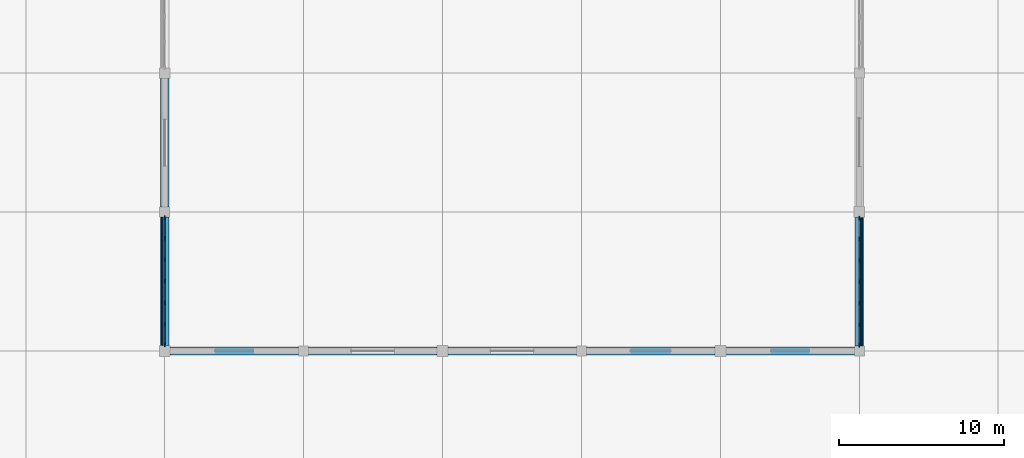
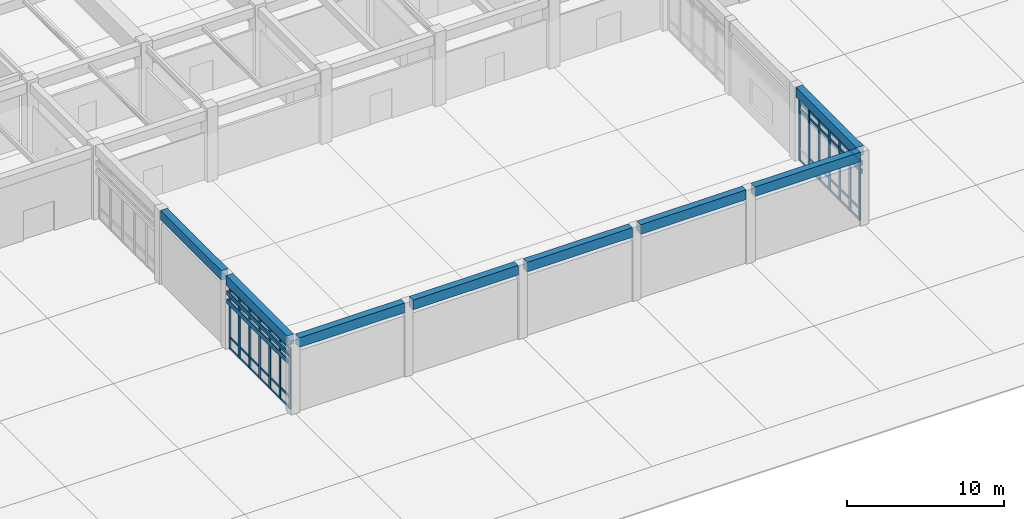
# One storey, part 10 of 91: 63 members, 8 beams, 2 elements without a shape of their own.
"""IFC4 building model written with IfcOpenShell, lengths in metres."""

import ifcopenshell
import ifcopenshell.guid

model = None  # the IFC model being written
_history = None  # IfcOwnerHistory: only IFC2X3 demands one
_inside = {}  # id of a spatial element -> (the spatial element, [elements in it])
_under = {}  # id of a project, library or spatial element -> (it, [spatial elements below it])
_declared = {}  # id of a project -> (the project, [libraries it declares])
_typed = {}  # id of a type object -> (the type object, [elements of that type])
_made_of = {}  # id of a material, layer set ... -> (it, [elements and type objects made of it])


def new_model(schema):
    """Start an empty IFC model of exactly this schema.

    Asked for "IFC4X3", IfcOpenShell would pick the latest addendum, in which some entities
    have other attributes; the version numbers below select the first issue.
    IFC2X3 requires an IfcOwnerHistory on every rooted entity: one is made here for all.
    """
    global model, _history
    if schema == "IFC4X3":
        model = ifcopenshell.file(schema_version=(4, 3, 0, 0))
    else:
        model = ifcopenshell.file(schema=schema)
    _inside.clear()
    _under.clear()
    _declared.clear()
    _typed.clear()
    _made_of.clear()
    _history = None
    if model.schema == "IFC2X3":
        org = make("IfcOrganization", Name="unknown")
        user = make(
            "IfcPersonAndOrganization",
            ThePerson=make("IfcPerson", FamilyName="unknown"),
            TheOrganization=org,
        )
        app = make(
            "IfcApplication",
            ApplicationDeveloper=org,
            Version="unknown",
            ApplicationFullName="unknown",
            ApplicationIdentifier="unknown",
        )
        _history = make(
            "IfcOwnerHistory",
            OwningUser=user,
            OwningApplication=app,
            ChangeAction="ADDED",
            CreationDate=0,
        )
    return model


def make(cls, **values):
    """One entity of the class cls with the attributes given. An attribute that is None is left unset."""
    return model.create_entity(
        cls, **{name: value for name, value in values.items() if value is not None}
    )


def rooted(cls, **values):
    """An entity with a GlobalId (a new one), such as an element, a storey or a relation."""
    return make(cls, GlobalId=ifcopenshell.guid.new(), OwnerHistory=_history, **values)


def si_unit(unit_type, name, prefix=None):
    """IfcSIUnit, for example si_unit("LENGTHUNIT", "METRE", prefix="MILLI")."""
    return make("IfcSIUnit", UnitType=unit_type, Prefix=prefix, Name=name)


def assignment(units):
    """IfcUnitAssignment: the units of a project."""
    return None if units is None else make("IfcUnitAssignment", Units=units)


def point(xyz):
    """IfcCartesianPoint."""
    return None if xyz is None else make("IfcCartesianPoint", Coordinates=xyz)


def direction(xyz):
    """IfcDirection."""
    return None if xyz is None else make("IfcDirection", DirectionRatios=xyz)


def frame(location, z_axis=None, x_axis=None):
    """IfcAxis2Placement3D, a coordinate frame: its origin and axes. An axis left out is left unset."""
    return make(
        "IfcAxis2Placement3D",
        Location=point(location),
        Axis=direction(z_axis),
        RefDirection=direction(x_axis),
    )


def frame_2d(location, x_axis=None):
    """IfcAxis2Placement2D, a coordinate frame in the plane: its origin and x axis."""
    return make(
        "IfcAxis2Placement2D", Location=point(location), RefDirection=direction(x_axis)
    )


def origin():
    """The frame at (0, 0, 0) with its axes left unset."""
    return frame((0.0, 0.0, 0.0))


def origin_2d():
    """The frame at (0, 0) in the plane with its x axis left unset."""
    return frame_2d((0.0, 0.0))


def place(relative_to, where):
    """IfcLocalPlacement: puts the frame where relative to a parent placement (None: the world)."""
    return make(
        "IfcLocalPlacement", PlacementRelTo=relative_to, RelativePlacement=where
    )


def context(
    kind, dimensions, precision=None, world=None, true_north=None, identifier=None
):
    """IfcGeometricRepresentationContext, for example the 3D "Model" context."""
    return make(
        "IfcGeometricRepresentationContext",
        ContextIdentifier=identifier,
        ContextType=kind,
        CoordinateSpaceDimension=dimensions,
        Precision=precision,
        WorldCoordinateSystem=world,
        TrueNorth=true_north,
    )


def subcontext(parent, identifier, kind, view, scale=None):
    """IfcGeometricRepresentationSubContext, for example "Body" below "Model"."""
    return make(
        "IfcGeometricRepresentationSubContext",
        ContextIdentifier=identifier,
        ContextType=kind,
        ParentContext=parent,
        TargetScale=scale,
        TargetView=view,
    )


def project(units=None, contexts=None):
    """IfcProject with its units and contexts."""
    return rooted(
        "IfcProject",
        Name="project",
        RepresentationContexts=contexts,
        UnitsInContext=assignment(units),
    )


def spatial(cls, under=None, at=None, **own):
    """A site, building, storey or space (cls), placed at a placement, below another one or the project."""
    s = rooted(cls, ObjectPlacement=at, **own)
    if under is not None:
        _under.setdefault(under.id(), (under, []))[1].append(s)
    return s


def profile(cls, at=None, kind="AREA", **sizes):
    """A parametric profile (cls). Its sizes go by their IFC names, for example OverallWidth=200.0."""
    return make(cls, ProfileType=kind, Position=at, **sizes)


def rectangle(**sizes):
    """IfcRectangleProfileDef."""
    return profile("IfcRectangleProfileDef", **sizes)


def extrude(swept, where, along, depth):
    """IfcExtrudedAreaSolid: the profile swept, set in the frame where, extruded along a direction by depth."""
    return make(
        "IfcExtrudedAreaSolid",
        SweptArea=swept,
        Position=where,
        ExtrudedDirection=direction(along),
        Depth=depth,
    )


def shape(context_of_items, identifier, shape_type, items):
    """IfcShapeRepresentation: the items that make up one representation, for example the "Body"."""
    return make(
        "IfcShapeRepresentation",
        ContextOfItems=context_of_items,
        RepresentationIdentifier=identifier,
        RepresentationType=shape_type,
        Items=items,
    )


def material(Name=None, Category=None):
    """IfcMaterial."""
    return make("IfcMaterial", Name=Name, Category=Category)


def layer(
    of_material, thickness, ventilated=None, Name=None, Category=None, Priority=None
):
    """IfcMaterialLayer: one layer of a wall or slab, of a material (None: an air gap)."""
    return make(
        "IfcMaterialLayer",
        Material=of_material,
        LayerThickness=thickness,
        IsVentilated=ventilated,
        Name=Name,
        Category=Category,
        Priority=Priority,
    )


def layer_set(layers, Name=None):
    """IfcMaterialLayerSet."""
    return make("IfcMaterialLayerSet", MaterialLayers=layers, LayerSetName=Name)


def material_profile(
    of_material, cross_section, Name=None, Category=None, Priority=None
):
    """IfcMaterialProfile: a cross section and its material."""
    return make(
        "IfcMaterialProfile",
        Name=Name,
        Material=of_material,
        Profile=cross_section,
        Priority=Priority,
        Category=Category,
    )


def profile_set(profiles, Name=None, composite=None):
    """IfcMaterialProfileSet."""
    return make(
        "IfcMaterialProfileSet",
        Name=Name,
        MaterialProfiles=profiles,
        CompositeProfile=composite,
    )


def made_of(thing, what):
    """Note that an element or type object is made of a material, layer set ...; save() writes the relation."""
    if what is not None:
        _made_of.setdefault(what.id(), (what, []))[1].append(thing)
    return thing


def type_object(cls, material=None, **own):
    """A type object (cls), such as IfcWallType, which elements share."""
    return made_of(rooted(cls, **own), material)


def element(
    cls,
    number,
    at=None,
    inside=None,
    cuts=None,
    type_object=None,
    material=None,
    context=None,
    identifier="Body",
    shape_type=None,
    held_by="IfcProductDefinitionShape",
    body=None,
    shapes=None,
    **own,
):
    """One element of the class cls, such as IfcWall. Its Tag is "e" and its number.

    at: its placement. inside: the storey or other place that contains it. cuts: it is an
    opening in that element (IfcRelVoidsElement). A single representation is given by context,
    identifier, shape_type and body (its items); several are given by shapes. held_by: the class
    of the entity that holds the representations. save() writes the other relations.
    """
    e = rooted(cls, Tag="e%d" % number, ObjectPlacement=at, **own)
    if body is not None:
        shapes = [shape(context, identifier, shape_type, body)]
    if shapes is not None:
        e.Representation = make(held_by, Representations=shapes)
    if inside is not None:
        _inside.setdefault(inside.id(), (inside, []))[1].append(e)
    if cuts is not None:
        rooted(
            "IfcRelVoidsElement", RelatingBuildingElement=cuts, RelatedOpeningElement=e
        )
    if type_object is not None:
        _typed.setdefault(type_object.id(), (type_object, []))[1].append(e)
    return made_of(e, material)


def aggregate(whole, parts):
    """IfcRelAggregates: a whole, such as a stair, and the parts it consists of."""
    return rooted("IfcRelAggregates", RelatingObject=whole, RelatedObjects=parts)


def save(model, path):
    """Write the relations noted so far, then the file.

    IfcRelAggregates (storeys below a building ...), IfcRelContainedInSpatialStructure (elements
    in a storey), IfcRelDefinesByType, IfcRelAssociatesMaterial and IfcRelDeclares: one each for
    every whole, place, type object, material and project.
    """
    for whole, parts in _under.values():
        aggregate(whole, parts)
    for where, things in _inside.values():
        rooted(
            "IfcRelContainedInSpatialStructure",
            RelatedElements=things,
            RelatingStructure=where,
        )
    for kind, things in _typed.values():
        rooted("IfcRelDefinesByType", RelatedObjects=things, RelatingType=kind)
    for what, things in _made_of.values():
        rooted("IfcRelAssociatesMaterial", RelatedObjects=things, RelatingMaterial=what)
    for by, libraries in _declared.values():
        rooted("IfcRelDeclares", RelatingContext=by, RelatedDefinitions=libraries)
    model.write(path)


model = new_model("IFC4")

# Units and contexts
model_context = context("Model", 3, precision=1e-05, world=origin(), true_north=direction((0.0, 1.0)))
body_context = subcontext(model_context, "Body", "Model", "MODEL_VIEW")
ifc_project = project(units=[si_unit("LENGTHUNIT", "METRE"), si_unit("AREAUNIT", "SQUARE_METRE"), si_unit("VOLUMEUNIT", "CUBIC_METRE"), si_unit("PLANEANGLEUNIT", "RADIAN"), si_unit("MASSUNIT", "GRAM", prefix="KILO")], contexts=[model_context])

# Site, building, storey
site_placement = place(None, origin())
site = spatial("IfcSite", under=ifc_project, at=site_placement, CompositionType="ELEMENT")
building_placement = place(site_placement, origin())
building = spatial("IfcBuilding", under=site, at=building_placement, Name="Porcellanite Civic Hall", CompositionType="ELEMENT")
storey_placement = place(building_placement, origin())
storey = spatial("IfcBuildingStorey", under=building, at=storey_placement, Name="L00", CompositionType="ELEMENT", Elevation=0.0)

# Beams
ifc_material_1 = material(Name="Concrete N50 (50 MPa)", Category="concrete")
ifc_material_profile_1 = material_profile(ifc_material_1, rectangle(XDim=0.5, YDim=0.75, at=origin_2d()), Name="RC-500x750")
ifc_profile_set_1 = profile_set([ifc_material_profile_1], Name="Concrete N50 (50 MPa)")
beam_type = type_object("IfcBeamType", Name="BM-RC750", PredefinedType="SPANDREL", material=ifc_profile_set_1)
for number, where, z_axis, x_axis, name in (
    (1, (67.5244140625, 16.800048828125, 5.385009765625), (1.0, 0.0, 0.0), (0.0, 1.0, 0.0), "Public Hall waist spandrel S 8"),
    (2, (75.8994140625, 16.800048828125, 5.385009765625), (1.0, 0.0, 0.0), (0.0, 1.0, 0.0), "Public Hall waist spandrel S 9"),
    (3, (84.324462890625, 16.800048828125, 5.385009765625), (1.0, 0.0, 0.0), (0.0, 1.0, 0.0), "Public Hall waist spandrel S 10"),
    (4, (92.699462890625, 16.800048828125, 5.385009765625), (1.0, 0.0, 0.0), (0.0, 1.0, 0.0), "Public Hall waist spandrel S 11"),
):
    element("IfcBeam", number, at=place(storey_placement, frame(where, z_axis=z_axis, x_axis=x_axis)), inside=storey, type_object=beam_type, Name=name, PredefinedType="SPANDREL", context=body_context, shape_type="SweptSolid", body=[
        extrude(rectangle(XDim=0.5, YDim=0.75, at=origin_2d()), origin(), (0.0, 0.0, 1.0), 7.776123046875),
    ])
for number, where, z_axis, x_axis, name in (
    (5, (101.12451171875, 16.800048828125, 5.385009765625), (1.0, 0.0, 0.0), (0.0, 1.0, 0.0), "Public Hall waist spandrel S 12"),
    (6, (67.199951171875, 17.12451171875, 5.385009765625), (0.0, 1.0, 0.0), (-1.0, 0.0, 0.0), "Public Hall waist spandrel W 2"),
    (7, (67.199951171875, 25.49951171875, 5.385009765625), (0.0, 1.0, 0.0), (-1.0, 0.0, 0.0), "Public Hall waist spandrel W 3"),
    (8, (109.199951171875, 17.099609375, 5.385009765625), (0.0, 1.0, 0.0), (-1.0, 0.0, 0.0), "Public Hall waist spandrel E 2"),
):
    element("IfcBeam", number, at=place(storey_placement, frame(where, z_axis=z_axis, x_axis=x_axis)), inside=storey, type_object=beam_type, Name=name, PredefinedType="SPANDREL", context=body_context, shape_type="SweptSolid", body=[
        extrude(rectangle(XDim=0.5, YDim=0.75, at=origin_2d()), origin(), (0.0, 0.0, 1.0), 7.77587890625),
    ])

# Curtain wall, members
ifc_material_2 = material(Name="Anodised aluminium and solar laminated glass", Category="aluminium")
ifc_layer = layer(ifc_material_2, 0.179931640625)
ifc_layer_set = layer_set([ifc_layer], Name="Anodised aluminium and solar laminated glass")
curtain_wall_type = type_object("IfcCurtainWallType", Name="CW-SYS01", PredefinedType="NOTDEFINED", material=ifc_layer_set)
curtain_wall_1_placement = place(storey_placement, origin())
curtain_wall_1 = element("IfcCurtainWall", 9, at=curtain_wall_1_placement, inside=storey, type_object=curtain_wall_type, Name="Curtain wall CW-027", PredefinedType="NOTDEFINED")
ifc_material_3 = material(Name="Anodised aluminium 6063-T6", Category="aluminium")
ifc_material_profile_2 = material_profile(ifc_material_3, rectangle(XDim=0.080078125, YDim=0.239990234375, at=origin_2d()), Name="AL-80x240")
ifc_profile_set_2 = profile_set([ifc_material_profile_2], Name="Anodised aluminium 6063-T6")
member_type_1 = type_object("IfcMemberType", Name="CWM-01", PredefinedType="MULLION", material=ifc_profile_set_2)
member_1_placement = place(storey_placement, frame((67.199951171875, 17.166015625, 0.0), z_axis=(0.0, 0.0, 1.0), x_axis=(-1.0, 0.0, 0.0)))
member_1 = element("IfcMember", 10, at=member_1_placement, type_object=member_type_1, Name="CW-027 mullion 1", PredefinedType="MULLION", context=body_context, shape_type="SweptSolid", body=[
    extrude(rectangle(XDim=0.080078125, YDim=0.239990234375, at=origin_2d()), origin(), (0.0, 0.0, 1.0), 4.699951171875),
])
member_2_placement = place(storey_placement, frame((67.199951171875, 18.42138671875, 0.0), z_axis=(0.0, 0.0, 1.0), x_axis=(-1.0, 0.0, 0.0)))
member_2 = element("IfcMember", 11, at=member_2_placement, type_object=member_type_1, Name="CW-027 mullion 2", PredefinedType="MULLION", context=body_context, shape_type="SweptSolid", body=[
    extrude(rectangle(XDim=0.080078125, YDim=0.239990234375, at=origin_2d()), origin(), (0.0, 0.0, 1.0), 4.699951171875),
])
member_3_placement = place(storey_placement, frame((67.199951171875, 19.717041015625, 0.0), z_axis=(0.0, 0.0, 1.0), x_axis=(-1.0, 0.0, 0.0)))
member_3 = element("IfcMember", 12, at=member_3_placement, type_object=member_type_1, Name="CW-027 mullion 3", PredefinedType="MULLION", context=body_context, shape_type="SweptSolid", body=[
    extrude(rectangle(XDim=0.080078125, YDim=0.239990234375, at=origin_2d()), origin(), (0.0, 0.0, 1.0), 4.699951171875),
])
member_4_placement = place(storey_placement, frame((67.199951171875, 21.012451171875, 0.0), z_axis=(0.0, 0.0, 1.0), x_axis=(-1.0, 0.0, 0.0)))
member_4 = element("IfcMember", 13, at=member_4_placement, type_object=member_type_1, Name="CW-027 mullion 4", PredefinedType="MULLION", context=body_context, shape_type="SweptSolid", body=[
    extrude(rectangle(XDim=0.080078125, YDim=0.239990234375, at=origin_2d()), origin(), (0.0, 0.0, 1.0), 4.699951171875),
])
member_5_placement = place(storey_placement, frame((67.199951171875, 22.30810546875, 0.0), z_axis=(0.0, 0.0, 1.0), x_axis=(-1.0, 0.0, 0.0)))
member_5 = element("IfcMember", 14, at=member_5_placement, type_object=member_type_1, Name="CW-027 mullion 5", PredefinedType="MULLION", context=body_context, shape_type="SweptSolid", body=[
    extrude(rectangle(XDim=0.080078125, YDim=0.239990234375, at=origin_2d()), origin(), (0.0, 0.0, 1.0), 4.699951171875),
])
member_6_placement = place(storey_placement, frame((67.199951171875, 23.603515625, 0.0), z_axis=(0.0, 0.0, 1.0), x_axis=(-1.0, 0.0, 0.0)))
member_6 = element("IfcMember", 15, at=member_6_placement, type_object=member_type_1, Name="CW-027 mullion 6", PredefinedType="MULLION", context=body_context, shape_type="SweptSolid", body=[
    extrude(rectangle(XDim=0.080078125, YDim=0.239990234375, at=origin_2d()), origin(), (0.0, 0.0, 1.0), 4.699951171875),
])
member_7_placement = place(storey_placement, frame((67.199951171875, 24.85888671875, 0.0), z_axis=(0.0, 0.0, 1.0), x_axis=(-1.0, 0.0, 0.0)))
member_7 = element("IfcMember", 16, at=member_7_placement, type_object=member_type_1, Name="CW-027 mullion 7", PredefinedType="MULLION", context=body_context, shape_type="SweptSolid", body=[
    extrude(rectangle(XDim=0.080078125, YDim=0.239990234375, at=origin_2d()), origin(), (0.0, 0.0, 1.0), 4.699951171875),
])

curtain_wall_2_placement = place(storey_placement, origin())
curtain_wall_2 = element("IfcCurtainWall", 17, at=curtain_wall_2_placement, inside=storey, type_object=curtain_wall_type, Name="Curtain wall CW-032", PredefinedType="NOTDEFINED")
member_8_placement = place(storey_placement, frame((109.199951171875, 24.833984375, 0.0), z_axis=(0.0, 0.0, 1.0), x_axis=(1.0, 0.0, 0.0)))
member_8 = element("IfcMember", 18, at=member_8_placement, type_object=member_type_1, Name="CW-032 mullion 1", PredefinedType="MULLION", context=body_context, shape_type="SweptSolid", body=[
    extrude(rectangle(XDim=0.080078125, YDim=0.239990234375, at=origin_2d()), origin(), (0.0, 0.0, 1.0), 4.699951171875),
])
member_9_placement = place(storey_placement, frame((109.199951171875, 23.57861328125, 0.0), z_axis=(0.0, 0.0, 1.0), x_axis=(1.0, 0.0, 0.0)))
member_9 = element("IfcMember", 19, at=member_9_placement, type_object=member_type_1, Name="CW-032 mullion 2", PredefinedType="MULLION", context=body_context, shape_type="SweptSolid", body=[
    extrude(rectangle(XDim=0.080078125, YDim=0.239990234375, at=origin_2d()), origin(), (0.0, 0.0, 1.0), 4.699951171875),
])
member_10_placement = place(storey_placement, frame((109.199951171875, 22.282958984375, 0.0), z_axis=(0.0, 0.0, 1.0), x_axis=(1.0, 0.0, 0.0)))
member_10 = element("IfcMember", 20, at=member_10_placement, type_object=member_type_1, Name="CW-032 mullion 3", PredefinedType="MULLION", context=body_context, shape_type="SweptSolid", body=[
    extrude(rectangle(XDim=0.080078125, YDim=0.239990234375, at=origin_2d()), origin(), (0.0, 0.0, 1.0), 4.699951171875),
])
member_11_placement = place(storey_placement, frame((109.199951171875, 20.987548828125, 0.0), z_axis=(0.0, 0.0, 1.0), x_axis=(1.0, 0.0, 0.0)))
member_11 = element("IfcMember", 21, at=member_11_placement, type_object=member_type_1, Name="CW-032 mullion 4", PredefinedType="MULLION", context=body_context, shape_type="SweptSolid", body=[
    extrude(rectangle(XDim=0.080078125, YDim=0.239990234375, at=origin_2d()), origin(), (0.0, 0.0, 1.0), 4.699951171875),
])
member_12_placement = place(storey_placement, frame((109.199951171875, 19.69189453125, 0.0), z_axis=(0.0, 0.0, 1.0), x_axis=(1.0, 0.0, 0.0)))
member_12 = element("IfcMember", 22, at=member_12_placement, type_object=member_type_1, Name="CW-032 mullion 5", PredefinedType="MULLION", context=body_context, shape_type="SweptSolid", body=[
    extrude(rectangle(XDim=0.080078125, YDim=0.239990234375, at=origin_2d()), origin(), (0.0, 0.0, 1.0), 4.699951171875),
])
member_13_placement = place(storey_placement, frame((109.199951171875, 18.396484375, 0.0), z_axis=(0.0, 0.0, 1.0), x_axis=(1.0, 0.0, 0.0)))
member_13 = element("IfcMember", 23, at=member_13_placement, type_object=member_type_1, Name="CW-032 mullion 6", PredefinedType="MULLION", context=body_context, shape_type="SweptSolid", body=[
    extrude(rectangle(XDim=0.080078125, YDim=0.239990234375, at=origin_2d()), origin(), (0.0, 0.0, 1.0), 4.699951171875),
])
member_14_placement = place(storey_placement, frame((109.199951171875, 17.14111328125, 0.0), z_axis=(0.0, 0.0, 1.0), x_axis=(1.0, 0.0, 0.0)))
member_14 = element("IfcMember", 24, at=member_14_placement, type_object=member_type_1, Name="CW-032 mullion 7", PredefinedType="MULLION", context=body_context, shape_type="SweptSolid", body=[
    extrude(rectangle(XDim=0.080078125, YDim=0.239990234375, at=origin_2d()), origin(), (0.0, 0.0, 1.0), 4.699951171875),
])

# Member
ifc_material_4 = material(Name="Anodised aluminium 6063-T6", Category="aluminium")
ifc_material_profile_3 = material_profile(ifc_material_4, rectangle(XDim=0.070068359375, YDim=0.175048828125, at=origin_2d()), Name="AL-70x175")
ifc_profile_set_3 = profile_set([ifc_material_profile_3], Name="Anodised aluminium 6063-T6")
member_type_2 = type_object("IfcMemberType", Name="CWT-01", PredefinedType="USERDEFINED", material=ifc_profile_set_3)
member_15_placement = place(storey_placement, frame((67.199951171875, 17.2060546875, 0.034912109375), z_axis=(0.0, 1.0, 0.0), x_axis=(-1.0, 0.0, 0.0)))
member_15 = element("IfcMember", 25, at=member_15_placement, type_object=member_type_2, Name="CW-027 transom 1.1", ObjectType="TRANSOM", PredefinedType="USERDEFINED", context=body_context, shape_type="SweptSolid", body=[
    extrude(rectangle(XDim=0.070068359375, YDim=0.175048828125, at=origin_2d()), origin(), (0.0, 0.0, 1.0), 1.175537109375),
])

member_16_placement = place(storey_placement, frame((67.199951171875, 17.2060546875, 0.89990234375), z_axis=(0.0, 1.0, 0.0), x_axis=(-1.0, 0.0, 0.0)))
member_16 = element("IfcMember", 26, at=member_16_placement, type_object=member_type_2, Name="CW-027 transom 1.2", ObjectType="TRANSOM", PredefinedType="USERDEFINED", context=body_context, shape_type="SweptSolid", body=[
    extrude(rectangle(XDim=0.070068359375, YDim=0.175048828125, at=origin_2d()), origin(), (0.0, 0.0, 1.0), 1.175537109375),
])

member_17_placement = place(storey_placement, frame((67.199951171875, 17.2060546875, 4.050048828125), z_axis=(0.0, 1.0, 0.0), x_axis=(-1.0, 0.0, 0.0)))
member_17 = element("IfcMember", 27, at=member_17_placement, type_object=member_type_2, Name="CW-027 transom 1.3", ObjectType="TRANSOM", PredefinedType="USERDEFINED", context=body_context, shape_type="SweptSolid", body=[
    extrude(rectangle(XDim=0.070068359375, YDim=0.175048828125, at=origin_2d()), origin(), (0.0, 0.0, 1.0), 1.175537109375),
])

member_18_placement = place(storey_placement, frame((67.199951171875, 17.2060546875, 4.6650390625), z_axis=(0.0, 1.0, 0.0), x_axis=(-1.0, 0.0, 0.0)))
member_18 = element("IfcMember", 28, at=member_18_placement, type_object=member_type_2, Name="CW-027 transom 1.4", ObjectType="TRANSOM", PredefinedType="USERDEFINED", context=body_context, shape_type="SweptSolid", body=[
    extrude(rectangle(XDim=0.070068359375, YDim=0.175048828125, at=origin_2d()), origin(), (0.0, 0.0, 1.0), 1.175537109375),
])

member_19_placement = place(storey_placement, frame((67.199951171875, 18.46142578125, 0.034912109375), z_axis=(0.0, 1.0, 0.0), x_axis=(-1.0, 0.0, 0.0)))
member_19 = element("IfcMember", 29, at=member_19_placement, type_object=member_type_2, Name="CW-027 transom 2.1", ObjectType="TRANSOM", PredefinedType="USERDEFINED", context=body_context, shape_type="SweptSolid", body=[
    extrude(rectangle(XDim=0.070068359375, YDim=0.175048828125, at=origin_2d()), origin(), (0.0, 0.0, 1.0), 1.215576171875),
])

member_20_placement = place(storey_placement, frame((67.199951171875, 18.46142578125, 0.89990234375), z_axis=(0.0, 1.0, 0.0), x_axis=(-1.0, 0.0, 0.0)))
member_20 = element("IfcMember", 30, at=member_20_placement, type_object=member_type_2, Name="CW-027 transom 2.2", ObjectType="TRANSOM", PredefinedType="USERDEFINED", context=body_context, shape_type="SweptSolid", body=[
    extrude(rectangle(XDim=0.070068359375, YDim=0.175048828125, at=origin_2d()), origin(), (0.0, 0.0, 1.0), 1.215576171875),
])

member_21_placement = place(storey_placement, frame((67.199951171875, 18.46142578125, 4.050048828125), z_axis=(0.0, 1.0, 0.0), x_axis=(-1.0, 0.0, 0.0)))
member_21 = element("IfcMember", 31, at=member_21_placement, type_object=member_type_2, Name="CW-027 transom 2.3", ObjectType="TRANSOM", PredefinedType="USERDEFINED", context=body_context, shape_type="SweptSolid", body=[
    extrude(rectangle(XDim=0.070068359375, YDim=0.175048828125, at=origin_2d()), origin(), (0.0, 0.0, 1.0), 1.215576171875),
])

member_22_placement = place(storey_placement, frame((67.199951171875, 18.46142578125, 4.6650390625), z_axis=(0.0, 1.0, 0.0), x_axis=(-1.0, 0.0, 0.0)))
member_22 = element("IfcMember", 32, at=member_22_placement, type_object=member_type_2, Name="CW-027 transom 2.4", ObjectType="TRANSOM", PredefinedType="USERDEFINED", context=body_context, shape_type="SweptSolid", body=[
    extrude(rectangle(XDim=0.070068359375, YDim=0.175048828125, at=origin_2d()), origin(), (0.0, 0.0, 1.0), 1.215576171875),
])

member_23_placement = place(storey_placement, frame((67.199951171875, 19.757080078125, 0.034912109375), z_axis=(0.0, 1.0, 0.0), x_axis=(-1.0, 0.0, 0.0)))
member_23 = element("IfcMember", 33, at=member_23_placement, type_object=member_type_2, Name="CW-027 transom 3.1", ObjectType="TRANSOM", PredefinedType="USERDEFINED", context=body_context, shape_type="SweptSolid", body=[
    extrude(rectangle(XDim=0.070068359375, YDim=0.175048828125, at=origin_2d()), origin(), (0.0, 0.0, 1.0), 1.21533203125),
])

member_24_placement = place(storey_placement, frame((67.199951171875, 19.757080078125, 0.89990234375), z_axis=(0.0, 1.0, 0.0), x_axis=(-1.0, 0.0, 0.0)))
member_24 = element("IfcMember", 34, at=member_24_placement, type_object=member_type_2, Name="CW-027 transom 3.2", ObjectType="TRANSOM", PredefinedType="USERDEFINED", context=body_context, shape_type="SweptSolid", body=[
    extrude(rectangle(XDim=0.070068359375, YDim=0.175048828125, at=origin_2d()), origin(), (0.0, 0.0, 1.0), 1.21533203125),
])

member_25_placement = place(storey_placement, frame((67.199951171875, 19.757080078125, 4.050048828125), z_axis=(0.0, 1.0, 0.0), x_axis=(-1.0, 0.0, 0.0)))
member_25 = element("IfcMember", 35, at=member_25_placement, type_object=member_type_2, Name="CW-027 transom 3.3", ObjectType="TRANSOM", PredefinedType="USERDEFINED", context=body_context, shape_type="SweptSolid", body=[
    extrude(rectangle(XDim=0.070068359375, YDim=0.175048828125, at=origin_2d()), origin(), (0.0, 0.0, 1.0), 1.21533203125),
])

member_26_placement = place(storey_placement, frame((67.199951171875, 19.757080078125, 4.6650390625), z_axis=(0.0, 1.0, 0.0), x_axis=(-1.0, 0.0, 0.0)))
member_26 = element("IfcMember", 36, at=member_26_placement, type_object=member_type_2, Name="CW-027 transom 3.4", ObjectType="TRANSOM", PredefinedType="USERDEFINED", context=body_context, shape_type="SweptSolid", body=[
    extrude(rectangle(XDim=0.070068359375, YDim=0.175048828125, at=origin_2d()), origin(), (0.0, 0.0, 1.0), 1.21533203125),
])

member_27_placement = place(storey_placement, frame((67.199951171875, 21.052490234375, 0.034912109375), z_axis=(0.0, 1.0, 0.0), x_axis=(-1.0, 0.0, 0.0)))
member_27 = element("IfcMember", 37, at=member_27_placement, type_object=member_type_2, Name="CW-027 transom 4.1", ObjectType="TRANSOM", PredefinedType="USERDEFINED", context=body_context, shape_type="SweptSolid", body=[
    extrude(rectangle(XDim=0.070068359375, YDim=0.175048828125, at=origin_2d()), origin(), (0.0, 0.0, 1.0), 1.215576171875),
])

member_28_placement = place(storey_placement, frame((67.199951171875, 21.052490234375, 0.89990234375), z_axis=(0.0, 1.0, 0.0), x_axis=(-1.0, 0.0, 0.0)))
member_28 = element("IfcMember", 38, at=member_28_placement, type_object=member_type_2, Name="CW-027 transom 4.2", ObjectType="TRANSOM", PredefinedType="USERDEFINED", context=body_context, shape_type="SweptSolid", body=[
    extrude(rectangle(XDim=0.070068359375, YDim=0.175048828125, at=origin_2d()), origin(), (0.0, 0.0, 1.0), 1.215576171875),
])

member_29_placement = place(storey_placement, frame((67.199951171875, 21.052490234375, 4.050048828125), z_axis=(0.0, 1.0, 0.0), x_axis=(-1.0, 0.0, 0.0)))
member_29 = element("IfcMember", 39, at=member_29_placement, type_object=member_type_2, Name="CW-027 transom 4.3", ObjectType="TRANSOM", PredefinedType="USERDEFINED", context=body_context, shape_type="SweptSolid", body=[
    extrude(rectangle(XDim=0.070068359375, YDim=0.175048828125, at=origin_2d()), origin(), (0.0, 0.0, 1.0), 1.215576171875),
])

member_30_placement = place(storey_placement, frame((67.199951171875, 21.052490234375, 4.6650390625), z_axis=(0.0, 1.0, 0.0), x_axis=(-1.0, 0.0, 0.0)))
member_30 = element("IfcMember", 40, at=member_30_placement, type_object=member_type_2, Name="CW-027 transom 4.4", ObjectType="TRANSOM", PredefinedType="USERDEFINED", context=body_context, shape_type="SweptSolid", body=[
    extrude(rectangle(XDim=0.070068359375, YDim=0.175048828125, at=origin_2d()), origin(), (0.0, 0.0, 1.0), 1.215576171875),
])

member_31_placement = place(storey_placement, frame((67.199951171875, 22.347900390625, 0.034912109375), z_axis=(0.0, 1.0, 0.0), x_axis=(-1.0, 0.0, 0.0)))
member_31 = element("IfcMember", 41, at=member_31_placement, type_object=member_type_2, Name="CW-027 transom 5.1", ObjectType="TRANSOM", PredefinedType="USERDEFINED", context=body_context, shape_type="SweptSolid", body=[
    extrude(rectangle(XDim=0.070068359375, YDim=0.175048828125, at=origin_2d()), origin(), (0.0, 0.0, 1.0), 1.215576171875),
])

member_32_placement = place(storey_placement, frame((67.199951171875, 22.347900390625, 0.89990234375), z_axis=(0.0, 1.0, 0.0), x_axis=(-1.0, 0.0, 0.0)))
member_32 = element("IfcMember", 42, at=member_32_placement, type_object=member_type_2, Name="CW-027 transom 5.2", ObjectType="TRANSOM", PredefinedType="USERDEFINED", context=body_context, shape_type="SweptSolid", body=[
    extrude(rectangle(XDim=0.070068359375, YDim=0.175048828125, at=origin_2d()), origin(), (0.0, 0.0, 1.0), 1.215576171875),
])

member_33_placement = place(storey_placement, frame((67.199951171875, 22.347900390625, 4.050048828125), z_axis=(0.0, 1.0, 0.0), x_axis=(-1.0, 0.0, 0.0)))
member_33 = element("IfcMember", 43, at=member_33_placement, type_object=member_type_2, Name="CW-027 transom 5.3", ObjectType="TRANSOM", PredefinedType="USERDEFINED", context=body_context, shape_type="SweptSolid", body=[
    extrude(rectangle(XDim=0.070068359375, YDim=0.175048828125, at=origin_2d()), origin(), (0.0, 0.0, 1.0), 1.215576171875),
])

member_34_placement = place(storey_placement, frame((67.199951171875, 22.347900390625, 4.6650390625), z_axis=(0.0, 1.0, 0.0), x_axis=(-1.0, 0.0, 0.0)))
member_34 = element("IfcMember", 44, at=member_34_placement, type_object=member_type_2, Name="CW-027 transom 5.4", ObjectType="TRANSOM", PredefinedType="USERDEFINED", context=body_context, shape_type="SweptSolid", body=[
    extrude(rectangle(XDim=0.070068359375, YDim=0.175048828125, at=origin_2d()), origin(), (0.0, 0.0, 1.0), 1.215576171875),
])

member_35_placement = place(storey_placement, frame((67.199951171875, 23.6435546875, 0.034912109375), z_axis=(0.0, 1.0, 0.0), x_axis=(-1.0, 0.0, 0.0)))
member_35 = element("IfcMember", 45, at=member_35_placement, type_object=member_type_2, Name="CW-027 transom 6.1", ObjectType="TRANSOM", PredefinedType="USERDEFINED", context=body_context, shape_type="SweptSolid", body=[
    extrude(rectangle(XDim=0.070068359375, YDim=0.175048828125, at=origin_2d()), origin(), (0.0, 0.0, 1.0), 1.175537109375),
])

member_36_placement = place(storey_placement, frame((67.199951171875, 23.6435546875, 0.89990234375), z_axis=(0.0, 1.0, 0.0), x_axis=(-1.0, 0.0, 0.0)))
member_36 = element("IfcMember", 46, at=member_36_placement, type_object=member_type_2, Name="CW-027 transom 6.2", ObjectType="TRANSOM", PredefinedType="USERDEFINED", context=body_context, shape_type="SweptSolid", body=[
    extrude(rectangle(XDim=0.070068359375, YDim=0.175048828125, at=origin_2d()), origin(), (0.0, 0.0, 1.0), 1.175537109375),
])

member_37_placement = place(storey_placement, frame((67.199951171875, 23.6435546875, 4.050048828125), z_axis=(0.0, 1.0, 0.0), x_axis=(-1.0, 0.0, 0.0)))
member_37 = element("IfcMember", 47, at=member_37_placement, type_object=member_type_2, Name="CW-027 transom 6.3", ObjectType="TRANSOM", PredefinedType="USERDEFINED", context=body_context, shape_type="SweptSolid", body=[
    extrude(rectangle(XDim=0.070068359375, YDim=0.175048828125, at=origin_2d()), origin(), (0.0, 0.0, 1.0), 1.175537109375),
])

member_38_placement = place(storey_placement, frame((67.199951171875, 23.6435546875, 4.6650390625), z_axis=(0.0, 1.0, 0.0), x_axis=(-1.0, 0.0, 0.0)))
member_38 = element("IfcMember", 48, at=member_38_placement, type_object=member_type_2, Name="CW-027 transom 6.4", ObjectType="TRANSOM", PredefinedType="USERDEFINED", context=body_context, shape_type="SweptSolid", body=[
    extrude(rectangle(XDim=0.070068359375, YDim=0.175048828125, at=origin_2d()), origin(), (0.0, 0.0, 1.0), 1.175537109375),
])

aggregate(curtain_wall_1, [member_1, member_2, member_3, member_4, member_5, member_6, member_7, member_15, member_16, member_17, member_18, member_19, member_20, member_21, member_22, member_23, member_24, member_25, member_26, member_27, member_28, member_29, member_30, member_31, member_32, member_33, member_34, member_35, member_36, member_37, member_38])

member_39_placement = place(storey_placement, frame((109.199951171875, 24.7939453125, 0.034912109375), z_axis=(0.0, -1.0, 0.0), x_axis=(1.0, 0.0, 0.0)))
member_39 = element("IfcMember", 49, at=member_39_placement, type_object=member_type_2, Name="CW-032 transom 1.1", ObjectType="TRANSOM", PredefinedType="USERDEFINED", context=body_context, shape_type="SweptSolid", body=[
    extrude(rectangle(XDim=0.070068359375, YDim=0.175048828125, at=origin_2d()), origin(), (0.0, 0.0, 1.0), 1.175537109375),
])

member_40_placement = place(storey_placement, frame((109.199951171875, 23.53857421875, 0.034912109375), z_axis=(0.0, -1.0, 0.0), x_axis=(1.0, 0.0, 0.0)))
member_40 = element("IfcMember", 50, at=member_40_placement, type_object=member_type_2, Name="CW-032 transom 2.1", ObjectType="TRANSOM", PredefinedType="USERDEFINED", context=body_context, shape_type="SweptSolid", body=[
    extrude(rectangle(XDim=0.070068359375, YDim=0.175048828125, at=origin_2d()), origin(), (0.0, 0.0, 1.0), 1.215576171875),
])

member_41_placement = place(storey_placement, frame((109.199951171875, 23.53857421875, 0.89990234375), z_axis=(0.0, -1.0, 0.0), x_axis=(1.0, 0.0, 0.0)))
member_41 = element("IfcMember", 51, at=member_41_placement, type_object=member_type_2, Name="CW-032 transom 2.2", ObjectType="TRANSOM", PredefinedType="USERDEFINED", context=body_context, shape_type="SweptSolid", body=[
    extrude(rectangle(XDim=0.070068359375, YDim=0.175048828125, at=origin_2d()), origin(), (0.0, 0.0, 1.0), 1.215576171875),
])

member_42_placement = place(storey_placement, frame((109.199951171875, 23.53857421875, 4.050048828125), z_axis=(0.0, -1.0, 0.0), x_axis=(1.0, 0.0, 0.0)))
member_42 = element("IfcMember", 52, at=member_42_placement, type_object=member_type_2, Name="CW-032 transom 2.3", ObjectType="TRANSOM", PredefinedType="USERDEFINED", context=body_context, shape_type="SweptSolid", body=[
    extrude(rectangle(XDim=0.070068359375, YDim=0.175048828125, at=origin_2d()), origin(), (0.0, 0.0, 1.0), 1.215576171875),
])

member_43_placement = place(storey_placement, frame((109.199951171875, 23.53857421875, 4.6650390625), z_axis=(0.0, -1.0, 0.0), x_axis=(1.0, 0.0, 0.0)))
member_43 = element("IfcMember", 53, at=member_43_placement, type_object=member_type_2, Name="CW-032 transom 2.4", ObjectType="TRANSOM", PredefinedType="USERDEFINED", context=body_context, shape_type="SweptSolid", body=[
    extrude(rectangle(XDim=0.070068359375, YDim=0.175048828125, at=origin_2d()), origin(), (0.0, 0.0, 1.0), 1.215576171875),
])

member_44_placement = place(storey_placement, frame((109.199951171875, 22.242919921875, 0.034912109375), z_axis=(0.0, -1.0, 0.0), x_axis=(1.0, 0.0, 0.0)))
member_44 = element("IfcMember", 54, at=member_44_placement, type_object=member_type_2, Name="CW-032 transom 3.1", ObjectType="TRANSOM", PredefinedType="USERDEFINED", context=body_context, shape_type="SweptSolid", body=[
    extrude(rectangle(XDim=0.070068359375, YDim=0.175048828125, at=origin_2d()), origin(), (0.0, 0.0, 1.0), 1.21533203125),
])

member_45_placement = place(storey_placement, frame((109.199951171875, 22.242919921875, 0.89990234375), z_axis=(0.0, -1.0, 0.0), x_axis=(1.0, 0.0, 0.0)))
member_45 = element("IfcMember", 55, at=member_45_placement, type_object=member_type_2, Name="CW-032 transom 3.2", ObjectType="TRANSOM", PredefinedType="USERDEFINED", context=body_context, shape_type="SweptSolid", body=[
    extrude(rectangle(XDim=0.070068359375, YDim=0.175048828125, at=origin_2d()), origin(), (0.0, 0.0, 1.0), 1.21533203125),
])

member_46_placement = place(storey_placement, frame((109.199951171875, 22.242919921875, 4.050048828125), z_axis=(0.0, -1.0, 0.0), x_axis=(1.0, 0.0, 0.0)))
member_46 = element("IfcMember", 56, at=member_46_placement, type_object=member_type_2, Name="CW-032 transom 3.3", ObjectType="TRANSOM", PredefinedType="USERDEFINED", context=body_context, shape_type="SweptSolid", body=[
    extrude(rectangle(XDim=0.070068359375, YDim=0.175048828125, at=origin_2d()), origin(), (0.0, 0.0, 1.0), 1.21533203125),
])

member_47_placement = place(storey_placement, frame((109.199951171875, 22.242919921875, 4.6650390625), z_axis=(0.0, -1.0, 0.0), x_axis=(1.0, 0.0, 0.0)))
member_47 = element("IfcMember", 57, at=member_47_placement, type_object=member_type_2, Name="CW-032 transom 3.4", ObjectType="TRANSOM", PredefinedType="USERDEFINED", context=body_context, shape_type="SweptSolid", body=[
    extrude(rectangle(XDim=0.070068359375, YDim=0.175048828125, at=origin_2d()), origin(), (0.0, 0.0, 1.0), 1.21533203125),
])

member_48_placement = place(storey_placement, frame((109.199951171875, 20.947509765625, 0.034912109375), z_axis=(0.0, -1.0, 0.0), x_axis=(1.0, 0.0, 0.0)))
member_48 = element("IfcMember", 58, at=member_48_placement, type_object=member_type_2, Name="CW-032 transom 4.1", ObjectType="TRANSOM", PredefinedType="USERDEFINED", context=body_context, shape_type="SweptSolid", body=[
    extrude(rectangle(XDim=0.070068359375, YDim=0.175048828125, at=origin_2d()), origin(), (0.0, 0.0, 1.0), 1.215576171875),
])

member_49_placement = place(storey_placement, frame((109.199951171875, 20.947509765625, 0.89990234375), z_axis=(0.0, -1.0, 0.0), x_axis=(1.0, 0.0, 0.0)))
member_49 = element("IfcMember", 59, at=member_49_placement, type_object=member_type_2, Name="CW-032 transom 4.2", ObjectType="TRANSOM", PredefinedType="USERDEFINED", context=body_context, shape_type="SweptSolid", body=[
    extrude(rectangle(XDim=0.070068359375, YDim=0.175048828125, at=origin_2d()), origin(), (0.0, 0.0, 1.0), 1.215576171875),
])

member_50_placement = place(storey_placement, frame((109.199951171875, 20.947509765625, 4.050048828125), z_axis=(0.0, -1.0, 0.0), x_axis=(1.0, 0.0, 0.0)))
member_50 = element("IfcMember", 60, at=member_50_placement, type_object=member_type_2, Name="CW-032 transom 4.3", ObjectType="TRANSOM", PredefinedType="USERDEFINED", context=body_context, shape_type="SweptSolid", body=[
    extrude(rectangle(XDim=0.070068359375, YDim=0.175048828125, at=origin_2d()), origin(), (0.0, 0.0, 1.0), 1.215576171875),
])

member_51_placement = place(storey_placement, frame((109.199951171875, 20.947509765625, 4.6650390625), z_axis=(0.0, -1.0, 0.0), x_axis=(1.0, 0.0, 0.0)))
member_51 = element("IfcMember", 61, at=member_51_placement, type_object=member_type_2, Name="CW-032 transom 4.4", ObjectType="TRANSOM", PredefinedType="USERDEFINED", context=body_context, shape_type="SweptSolid", body=[
    extrude(rectangle(XDim=0.070068359375, YDim=0.175048828125, at=origin_2d()), origin(), (0.0, 0.0, 1.0), 1.215576171875),
])

member_52_placement = place(storey_placement, frame((109.199951171875, 19.652099609375, 0.034912109375), z_axis=(0.0, -1.0, 0.0), x_axis=(1.0, 0.0, 0.0)))
member_52 = element("IfcMember", 62, at=member_52_placement, type_object=member_type_2, Name="CW-032 transom 5.1", ObjectType="TRANSOM", PredefinedType="USERDEFINED", context=body_context, shape_type="SweptSolid", body=[
    extrude(rectangle(XDim=0.070068359375, YDim=0.175048828125, at=origin_2d()), origin(), (0.0, 0.0, 1.0), 1.215576171875),
])

member_53_placement = place(storey_placement, frame((109.199951171875, 19.652099609375, 0.89990234375), z_axis=(0.0, -1.0, 0.0), x_axis=(1.0, 0.0, 0.0)))
member_53 = element("IfcMember", 63, at=member_53_placement, type_object=member_type_2, Name="CW-032 transom 5.2", ObjectType="TRANSOM", PredefinedType="USERDEFINED", context=body_context, shape_type="SweptSolid", body=[
    extrude(rectangle(XDim=0.070068359375, YDim=0.175048828125, at=origin_2d()), origin(), (0.0, 0.0, 1.0), 1.215576171875),
])

member_54_placement = place(storey_placement, frame((109.199951171875, 19.652099609375, 4.050048828125), z_axis=(0.0, -1.0, 0.0), x_axis=(1.0, 0.0, 0.0)))
member_54 = element("IfcMember", 64, at=member_54_placement, type_object=member_type_2, Name="CW-032 transom 5.3", ObjectType="TRANSOM", PredefinedType="USERDEFINED", context=body_context, shape_type="SweptSolid", body=[
    extrude(rectangle(XDim=0.070068359375, YDim=0.175048828125, at=origin_2d()), origin(), (0.0, 0.0, 1.0), 1.215576171875),
])

member_55_placement = place(storey_placement, frame((109.199951171875, 19.652099609375, 4.6650390625), z_axis=(0.0, -1.0, 0.0), x_axis=(1.0, 0.0, 0.0)))
member_55 = element("IfcMember", 65, at=member_55_placement, type_object=member_type_2, Name="CW-032 transom 5.4", ObjectType="TRANSOM", PredefinedType="USERDEFINED", context=body_context, shape_type="SweptSolid", body=[
    extrude(rectangle(XDim=0.070068359375, YDim=0.175048828125, at=origin_2d()), origin(), (0.0, 0.0, 1.0), 1.215576171875),
])

member_56_placement = place(storey_placement, frame((109.199951171875, 18.3564453125, 0.034912109375), z_axis=(0.0, -1.0, 0.0), x_axis=(1.0, 0.0, 0.0)))
member_56 = element("IfcMember", 66, at=member_56_placement, type_object=member_type_2, Name="CW-032 transom 6.1", ObjectType="TRANSOM", PredefinedType="USERDEFINED", context=body_context, shape_type="SweptSolid", body=[
    extrude(rectangle(XDim=0.070068359375, YDim=0.175048828125, at=origin_2d()), origin(), (0.0, 0.0, 1.0), 1.175537109375),
])

member_57_placement = place(storey_placement, frame((109.199951171875, 18.3564453125, 0.89990234375), z_axis=(0.0, -1.0, 0.0), x_axis=(1.0, 0.0, 0.0)))
member_57 = element("IfcMember", 67, at=member_57_placement, type_object=member_type_2, Name="CW-032 transom 6.2", ObjectType="TRANSOM", PredefinedType="USERDEFINED", context=body_context, shape_type="SweptSolid", body=[
    extrude(rectangle(XDim=0.070068359375, YDim=0.175048828125, at=origin_2d()), origin(), (0.0, 0.0, 1.0), 1.175537109375),
])

member_58_placement = place(storey_placement, frame((109.199951171875, 18.3564453125, 4.050048828125), z_axis=(0.0, -1.0, 0.0), x_axis=(1.0, 0.0, 0.0)))
member_58 = element("IfcMember", 68, at=member_58_placement, type_object=member_type_2, Name="CW-032 transom 6.3", ObjectType="TRANSOM", PredefinedType="USERDEFINED", context=body_context, shape_type="SweptSolid", body=[
    extrude(rectangle(XDim=0.070068359375, YDim=0.175048828125, at=origin_2d()), origin(), (0.0, 0.0, 1.0), 1.175537109375),
])

member_59_placement = place(storey_placement, frame((109.199951171875, 18.3564453125, 4.6650390625), z_axis=(0.0, -1.0, 0.0), x_axis=(1.0, 0.0, 0.0)))
member_59 = element("IfcMember", 69, at=member_59_placement, type_object=member_type_2, Name="CW-032 transom 6.4", ObjectType="TRANSOM", PredefinedType="USERDEFINED", context=body_context, shape_type="SweptSolid", body=[
    extrude(rectangle(XDim=0.070068359375, YDim=0.175048828125, at=origin_2d()), origin(), (0.0, 0.0, 1.0), 1.175537109375),
])

aggregate(curtain_wall_2, [member_8, member_9, member_10, member_11, member_12, member_13, member_14, member_39, member_40, member_41, member_42, member_43, member_44, member_45, member_46, member_47, member_48, member_49, member_50, member_51, member_52, member_53, member_54, member_55, member_56, member_57, member_58, member_59])

# Members
ifc_material_5 = material(Name="Fluoropolymer bauxite-red aluminium 6063-T6", Category="aluminium")
ifc_material_profile_4 = material_profile(ifc_material_5, rectangle(XDim=0.090087890625, YDim=0.360107421875, at=origin_2d()), Name="AL-90x360")
ifc_profile_set_4 = profile_set([ifc_material_profile_4], Name="Fluoropolymer bauxite-red aluminium 6063-T6")
member_type_3 = type_object("IfcMemberType", Name="LV-BLD01", PredefinedType="USERDEFINED", material=ifc_profile_set_4)
for number, where, z_axis, x_axis, name in (
    (70, (67.032958984375, 17.12451171875, 4.39990234375), (0.0, 1.0, 0.0), (-1.0, 0.0, 0.0), "Cyclone sunshade louvre L00 W 8-2 1"),
    (71, (67.032958984375, 17.12451171875, 3.75), (0.0, 1.0, 0.0), (-1.0, 0.0, 0.0), "Cyclone sunshade louvre L00 W 8-2 2"),
    (72, (109.366943359375, 24.87548828125, 4.39990234375), (0.0, -1.0, 0.0), (1.0, 0.0, 0.0), "Cyclone sunshade louvre L00 E 12-2 1"),
    (73, (109.366943359375, 24.87548828125, 3.75), (0.0, -1.0, 0.0), (1.0, 0.0, 0.0), "Cyclone sunshade louvre L00 E 12-2 2"),
):
    element("IfcMember", number, at=place(storey_placement, frame(where, z_axis=z_axis, x_axis=x_axis)), inside=storey, type_object=member_type_3, Name=name, ObjectType="LOUVRE BLADE", PredefinedType="USERDEFINED", context=body_context, shape_type="SweptSolid", body=[
        extrude(rectangle(XDim=0.090087890625, YDim=0.360107421875, at=origin_2d()), origin(), (0.0, 0.0, 1.0), 7.77587890625),
    ])

save(model, "model.ifc")
